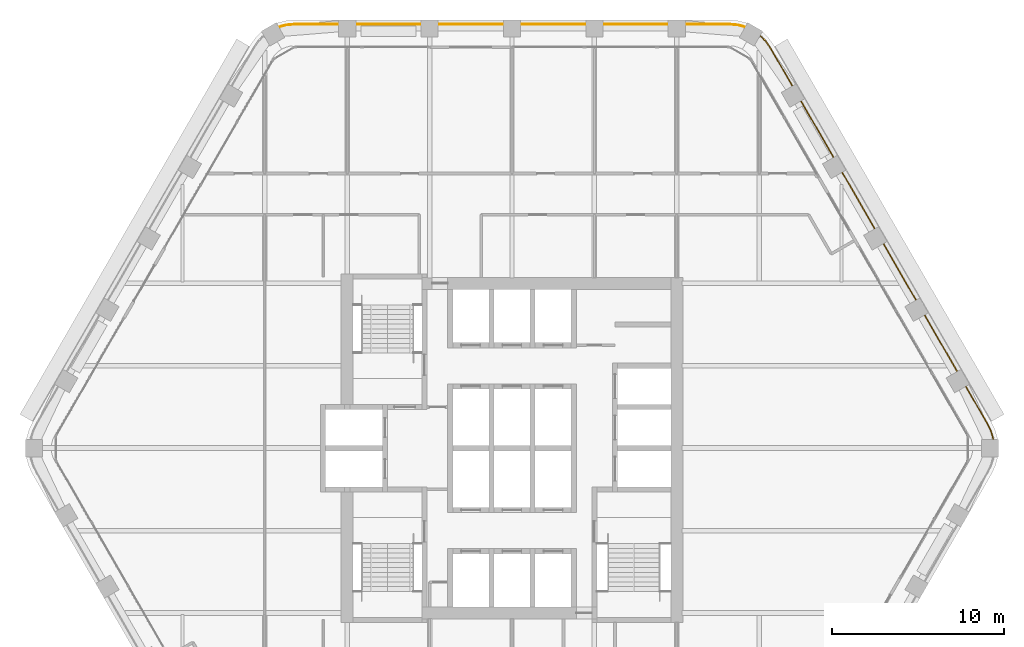
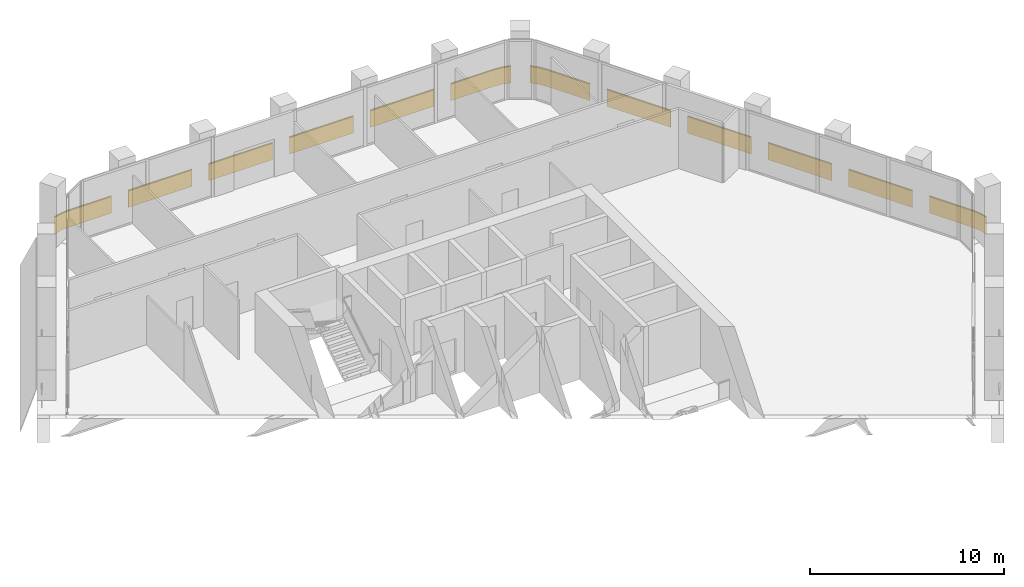
# One storey, part 15 of 15: 2 railings.
"""IFC4 building model written with IfcOpenShell, lengths in metres."""

import ifcopenshell
import ifcopenshell.guid

model = None  # the IFC model being written
_history = None  # IfcOwnerHistory: only IFC2X3 demands one
_inside = {}  # id of a spatial element -> (the spatial element, [elements in it])
_under = {}  # id of a project, library or spatial element -> (it, [spatial elements below it])
_declared = {}  # id of a project -> (the project, [libraries it declares])
_typed = {}  # id of a type object -> (the type object, [elements of that type])
_made_of = {}  # id of a material, layer set ... -> (it, [elements and type objects made of it])


def new_model(schema):
    """Start an empty IFC model of exactly this schema.

    Asked for "IFC4X3", IfcOpenShell would pick the latest addendum, in which some entities
    have other attributes; the version numbers below select the first issue.
    IFC2X3 requires an IfcOwnerHistory on every rooted entity: one is made here for all.
    """
    global model, _history
    if schema == "IFC4X3":
        model = ifcopenshell.file(schema_version=(4, 3, 0, 0))
    else:
        model = ifcopenshell.file(schema=schema)
    _inside.clear()
    _under.clear()
    _declared.clear()
    _typed.clear()
    _made_of.clear()
    _history = None
    if model.schema == "IFC2X3":
        org = make("IfcOrganization", Name="unknown")
        user = make(
            "IfcPersonAndOrganization",
            ThePerson=make("IfcPerson", FamilyName="unknown"),
            TheOrganization=org,
        )
        app = make(
            "IfcApplication",
            ApplicationDeveloper=org,
            Version="unknown",
            ApplicationFullName="unknown",
            ApplicationIdentifier="unknown",
        )
        _history = make(
            "IfcOwnerHistory",
            OwningUser=user,
            OwningApplication=app,
            ChangeAction="ADDED",
            CreationDate=0,
        )
    return model


def make(cls, **values):
    """One entity of the class cls with the attributes given. An attribute that is None is left unset."""
    return model.create_entity(
        cls, **{name: value for name, value in values.items() if value is not None}
    )


def rooted(cls, **values):
    """An entity with a GlobalId (a new one), such as an element, a storey or a relation."""
    return make(cls, GlobalId=ifcopenshell.guid.new(), OwnerHistory=_history, **values)


def si_unit(unit_type, name, prefix=None):
    """IfcSIUnit, for example si_unit("LENGTHUNIT", "METRE", prefix="MILLI")."""
    return make("IfcSIUnit", UnitType=unit_type, Prefix=prefix, Name=name)


def assignment(units):
    """IfcUnitAssignment: the units of a project."""
    return None if units is None else make("IfcUnitAssignment", Units=units)


def point(xyz):
    """IfcCartesianPoint."""
    return None if xyz is None else make("IfcCartesianPoint", Coordinates=xyz)


def direction(xyz):
    """IfcDirection."""
    return None if xyz is None else make("IfcDirection", DirectionRatios=xyz)


def frame(location, z_axis=None, x_axis=None):
    """IfcAxis2Placement3D, a coordinate frame: its origin and axes. An axis left out is left unset."""
    return make(
        "IfcAxis2Placement3D",
        Location=point(location),
        Axis=direction(z_axis),
        RefDirection=direction(x_axis),
    )


def frame_2d(location, x_axis=None):
    """IfcAxis2Placement2D, a coordinate frame in the plane: its origin and x axis."""
    return make(
        "IfcAxis2Placement2D", Location=point(location), RefDirection=direction(x_axis)
    )


def origin():
    """The frame at (0, 0, 0) with its axes left unset."""
    return frame((0.0, 0.0, 0.0))


def origin_2d():
    """The frame at (0, 0) in the plane with its x axis left unset."""
    return frame_2d((0.0, 0.0))


def place(relative_to, where):
    """IfcLocalPlacement: puts the frame where relative to a parent placement (None: the world)."""
    return make(
        "IfcLocalPlacement", PlacementRelTo=relative_to, RelativePlacement=where
    )


def context(
    kind, dimensions, precision=None, world=None, true_north=None, identifier=None
):
    """IfcGeometricRepresentationContext, for example the 3D "Model" context."""
    return make(
        "IfcGeometricRepresentationContext",
        ContextIdentifier=identifier,
        ContextType=kind,
        CoordinateSpaceDimension=dimensions,
        Precision=precision,
        WorldCoordinateSystem=world,
        TrueNorth=true_north,
    )


def subcontext(parent, identifier, kind, view, scale=None):
    """IfcGeometricRepresentationSubContext, for example "Body" below "Model"."""
    return make(
        "IfcGeometricRepresentationSubContext",
        ContextIdentifier=identifier,
        ContextType=kind,
        ParentContext=parent,
        TargetScale=scale,
        TargetView=view,
    )


def project(units=None, contexts=None):
    """IfcProject with its units and contexts."""
    return rooted(
        "IfcProject",
        Name="project",
        RepresentationContexts=contexts,
        UnitsInContext=assignment(units),
    )


def spatial(cls, under=None, at=None, **own):
    """A site, building, storey or space (cls), placed at a placement, below another one or the project."""
    s = rooted(cls, ObjectPlacement=at, **own)
    if under is not None:
        _under.setdefault(under.id(), (under, []))[1].append(s)
    return s


def profile(cls, at=None, kind="AREA", **sizes):
    """A parametric profile (cls). Its sizes go by their IFC names, for example OverallWidth=200.0."""
    return make(cls, ProfileType=kind, Position=at, **sizes)


def rectangle(**sizes):
    """IfcRectangleProfileDef."""
    return profile("IfcRectangleProfileDef", **sizes)


def extrude(swept, where, along, depth):
    """IfcExtrudedAreaSolid: the profile swept, set in the frame where, extruded along a direction by depth."""
    return make(
        "IfcExtrudedAreaSolid",
        SweptArea=swept,
        Position=where,
        ExtrudedDirection=direction(along),
        Depth=depth,
    )


def shape(context_of_items, identifier, shape_type, items):
    """IfcShapeRepresentation: the items that make up one representation, for example the "Body"."""
    return make(
        "IfcShapeRepresentation",
        ContextOfItems=context_of_items,
        RepresentationIdentifier=identifier,
        RepresentationType=shape_type,
        Items=items,
    )


def material(Name=None, Category=None):
    """IfcMaterial."""
    return make("IfcMaterial", Name=Name, Category=Category)


def made_of(thing, what):
    """Note that an element or type object is made of a material, layer set ...; save() writes the relation."""
    if what is not None:
        _made_of.setdefault(what.id(), (what, []))[1].append(thing)
    return thing


def type_object(cls, material=None, **own):
    """A type object (cls), such as IfcWallType, which elements share."""
    return made_of(rooted(cls, **own), material)


def element(
    cls,
    number,
    at=None,
    inside=None,
    cuts=None,
    type_object=None,
    material=None,
    context=None,
    identifier="Body",
    shape_type=None,
    held_by="IfcProductDefinitionShape",
    body=None,
    shapes=None,
    **own,
):
    """One element of the class cls, such as IfcWall. Its Tag is "e" and its number.

    at: its placement. inside: the storey or other place that contains it. cuts: it is an
    opening in that element (IfcRelVoidsElement). A single representation is given by context,
    identifier, shape_type and body (its items); several are given by shapes. held_by: the class
    of the entity that holds the representations. save() writes the other relations.
    """
    e = rooted(cls, Tag="e%d" % number, ObjectPlacement=at, **own)
    if body is not None:
        shapes = [shape(context, identifier, shape_type, body)]
    if shapes is not None:
        e.Representation = make(held_by, Representations=shapes)
    if inside is not None:
        _inside.setdefault(inside.id(), (inside, []))[1].append(e)
    if cuts is not None:
        rooted(
            "IfcRelVoidsElement", RelatingBuildingElement=cuts, RelatedOpeningElement=e
        )
    if type_object is not None:
        _typed.setdefault(type_object.id(), (type_object, []))[1].append(e)
    return made_of(e, material)


def aggregate(whole, parts):
    """IfcRelAggregates: a whole, such as a stair, and the parts it consists of."""
    return rooted("IfcRelAggregates", RelatingObject=whole, RelatedObjects=parts)


def save(model, path):
    """Write the relations noted so far, then the file.

    IfcRelAggregates (storeys below a building ...), IfcRelContainedInSpatialStructure (elements
    in a storey), IfcRelDefinesByType, IfcRelAssociatesMaterial and IfcRelDeclares: one each for
    every whole, place, type object, material and project.
    """
    for whole, parts in _under.values():
        aggregate(whole, parts)
    for where, things in _inside.values():
        rooted(
            "IfcRelContainedInSpatialStructure",
            RelatedElements=things,
            RelatingStructure=where,
        )
    for kind, things in _typed.values():
        rooted("IfcRelDefinesByType", RelatedObjects=things, RelatingType=kind)
    for what, things in _made_of.values():
        rooted("IfcRelAssociatesMaterial", RelatedObjects=things, RelatingMaterial=what)
    for by, libraries in _declared.values():
        rooted("IfcRelDeclares", RelatingContext=by, RelatedDefinitions=libraries)
    model.write(path)


model = new_model("IFC4")

# Units and contexts
model_context = context("Model", 3, precision=1e-05, world=origin(), true_north=direction((0.0, 1.0)))
body_context = subcontext(model_context, "Body", "Model", "MODEL_VIEW")
ifc_project = project(units=[si_unit("LENGTHUNIT", "METRE"), si_unit("AREAUNIT", "SQUARE_METRE"), si_unit("VOLUMEUNIT", "CUBIC_METRE"), si_unit("PLANEANGLEUNIT", "RADIAN"), si_unit("MASSUNIT", "GRAM", prefix="KILO")], contexts=[model_context])

# Site, building, storey
site_placement = place(None, origin())
site = spatial("IfcSite", under=ifc_project, at=site_placement, CompositionType="ELEMENT")
building_placement = place(site_placement, origin())
building = spatial("IfcBuilding", under=site, at=building_placement, Name="Kolab Exchange Tower", CompositionType="ELEMENT")
storey_placement = place(building_placement, frame((0.0, 0.0, 205.10009765625)))
storey = spatial("IfcBuildingStorey", under=building, at=storey_placement, Name="L44", CompositionType="ELEMENT", Elevation=205.10009765625)

# Railings
ifc_material = material(Name="Steel S235", Category="steel")
railing_type = type_object("IfcRailingType", Name="GUARD 1100 GLASS BALUSTRADE AND STEEL TOP RAIL", PredefinedType="GUARDRAIL", material=ifc_material)
railing_1_placement = place(storey_placement, frame((13.588623046875, 24.531005859375, 0.0)))
element("IfcRailing", 1, at=railing_1_placement, inside=storey, type_object=railing_type, Name="Guard", PredefinedType="GUARDRAIL", context=body_context, shape_type="SweptSolid", body=[
    extrude(rectangle(XDim=0.05, YDim=0.05, at=origin_2d()), frame((0.0, 0.0, 1.0751953125), z_axis=(-0.965969425465, 0.25865627591, 0.0), x_axis=(-0.25865627591, -0.965969425465, 0.0)), (0.0, 0.0, 1.0), 0.458740234375),
    extrude(rectangle(XDim=0.012, YDim=1.05009765625, at=frame_2d((0.0, 0.525146484375))), frame((0.0, 0.0, 0.0), z_axis=(-0.965969425465, 0.25865627591, 0.0), x_axis=(-0.25865627591, -0.965969425465, 0.0)), (0.0, 0.0, 1.0), 0.458740234375),
    extrude(rectangle(XDim=0.05, YDim=0.05, at=origin_2d()), frame((-0.443115234375, 0.11865234375, 1.0751953125), z_axis=(-0.996156034798, 0.087596542937, 0.0), x_axis=(-0.087596542937, -0.996156034798, 0.0)), (0.0, 0.0, 1.0), 0.4794921875),
    extrude(rectangle(XDim=0.012, YDim=1.05009765625, at=frame_2d((0.0, 0.525146484375))), frame((-0.443115234375, 0.11865234375, 0.0), z_axis=(-0.996156034798, 0.087596542937, 0.0), x_axis=(-0.087596542937, -0.996156034798, 0.0)), (0.0, 0.0, 1.0), 0.4794921875),
    extrude(rectangle(XDim=0.05, YDim=0.05, at=origin_2d()), frame((-0.920654296875, 0.16064453125, 1.0751953125), z_axis=(-1.0, 0.0, 0.0), x_axis=(0.0, -1.0, 0.0)), (0.0, 0.0, 1.0), 2.56787109375),
    extrude(rectangle(XDim=0.012, YDim=1.05009765625, at=frame_2d((0.0, 0.525146484375))), frame((-0.920654296875, 0.16064453125, 0.0), z_axis=(-1.0, 0.0, 0.0), x_axis=(0.0, -1.0, 0.0)), (0.0, 0.0, 1.0), 2.56787109375),
    extrude(rectangle(XDim=0.05, YDim=0.05, at=origin_2d()), frame((-4.488525390625, 0.16064453125, 1.0751953125), z_axis=(-1.0, 0.0, 0.0), x_axis=(0.0, -1.0, 0.0)), (0.0, 0.0, 1.0), 3.800048828125),
    extrude(rectangle(XDim=0.012, YDim=1.05009765625, at=frame_2d((0.0, 0.525146484375))), frame((-4.488525390625, 0.16064453125, 0.0), z_axis=(-1.0, 0.0, 0.0), x_axis=(0.0, -1.0, 0.0)), (0.0, 0.0, 1.0), 3.800048828125),
    extrude(rectangle(XDim=0.05, YDim=0.05, at=origin_2d()), frame((-9.28857421875, 0.16064453125, 1.0751953125), z_axis=(-1.0, 0.0, 0.0), x_axis=(0.0, -1.0, 0.0)), (0.0, 0.0, 1.0), 3.800048828125),
    extrude(rectangle(XDim=0.012, YDim=1.05009765625, at=frame_2d((0.0, 0.525146484375))), frame((-9.28857421875, 0.16064453125, 0.0), z_axis=(-1.0, 0.0, 0.0), x_axis=(0.0, -1.0, 0.0)), (0.0, 0.0, 1.0), 3.800048828125),
    extrude(rectangle(XDim=0.05, YDim=0.05, at=origin_2d()), frame((-14.088623046875, 0.16064453125, 1.0751953125), z_axis=(-1.0, 0.0, 0.0), x_axis=(0.0, -1.0, 0.0)), (0.0, 0.0, 1.0), 3.800048828125),
    extrude(rectangle(XDim=0.012, YDim=1.05009765625, at=frame_2d((0.0, 0.525146484375))), frame((-14.088623046875, 0.16064453125, 0.0), z_axis=(-1.0, 0.0, 0.0), x_axis=(0.0, -1.0, 0.0)), (0.0, 0.0, 1.0), 3.800048828125),
    extrude(rectangle(XDim=0.05, YDim=0.05, at=origin_2d()), frame((-18.888671875, 0.16064453125, 1.0751953125), z_axis=(-1.0, 0.0, 0.0), x_axis=(0.0, -1.0, 0.0)), (0.0, 0.0, 1.0), 3.800048828125),
    extrude(rectangle(XDim=0.012, YDim=1.05009765625, at=frame_2d((0.0, 0.525146484375))), frame((-18.888671875, 0.16064453125, 0.0), z_axis=(-1.0, 0.0, 0.0), x_axis=(0.0, -1.0, 0.0)), (0.0, 0.0, 1.0), 3.800048828125),
    extrude(rectangle(XDim=0.05, YDim=0.05, at=origin_2d()), frame((-23.688720703125, 0.16064453125, 1.0751953125), z_axis=(-1.0, 0.0, 0.0), x_axis=(0.0, -1.0, 0.0)), (0.0, 0.0, 1.0), 2.56787109375),
    extrude(rectangle(XDim=0.012, YDim=1.05009765625, at=frame_2d((0.0, 0.525146484375))), frame((-23.688720703125, 0.16064453125, 0.0), z_axis=(-1.0, 0.0, 0.0), x_axis=(0.0, -1.0, 0.0)), (0.0, 0.0, 1.0), 2.56787109375),
    extrude(rectangle(XDim=0.05, YDim=0.05, at=origin_2d()), frame((-26.256591796875, 0.16064453125, 1.0751953125), z_axis=(-0.996156034798, -0.087596542937, 0.0), x_axis=(0.087596542937, -0.996156034798, 0.0)), (0.0, 0.0, 1.0), 0.4794921875),
    extrude(rectangle(XDim=0.012, YDim=1.05009765625, at=frame_2d((0.0, 0.525146484375))), frame((-26.256591796875, 0.16064453125, 0.0), z_axis=(-0.996156034798, -0.087596542937, 0.0), x_axis=(0.087596542937, -0.996156034798, 0.0)), (0.0, 0.0, 1.0), 0.4794921875),
    extrude(rectangle(XDim=0.05, YDim=0.05, at=origin_2d()), frame((-26.734130859375, 0.11865234375, 1.0751953125), z_axis=(-0.965969425465, -0.25865627591, 0.0), x_axis=(0.25865627591, -0.965969425465, 0.0)), (0.0, 0.0, 1.0), 0.458740234375),
    extrude(rectangle(XDim=0.012, YDim=1.05009765625, at=frame_2d((0.0, 0.525146484375))), frame((-26.734130859375, 0.11865234375, 0.0), z_axis=(-0.965969425465, -0.25865627591, 0.0), x_axis=(0.25865627591, -0.965969425465, 0.0)), (0.0, 0.0, 1.0), 0.458740234375),
])
railing_2_placement = place(storey_placement, frame((28.038818359375, 0.49755859375, 0.0)))
element("IfcRailing", 2, at=railing_2_placement, inside=storey, type_object=railing_type, Name="Guard", PredefinedType="GUARDRAIL", context=body_context, shape_type="SweptSolid", body=[
    extrude(rectangle(XDim=0.05, YDim=0.05, at=origin_2d()), frame((0.0, 0.0, 1.0751953125), z_axis=(-0.25865627591, 0.965969425465, 0.0), x_axis=(-0.965969425465, -0.25865627591, 0.0)), (0.0, 0.0, 1.0), 0.458740234375),
    extrude(rectangle(XDim=0.012, YDim=1.05009765625, at=frame_2d((0.0, 0.525146484375))), frame((0.0, 0.0, 0.0), z_axis=(-0.25865627591, 0.965969425465, 0.0), x_axis=(-0.965969425465, -0.25865627591, 0.0)), (0.0, 0.0, 1.0), 0.458740234375),
    extrude(rectangle(XDim=0.05, YDim=0.05, at=origin_2d()), frame((-0.11865234375, 0.443115234375, 1.0751953125), z_axis=(-0.422801802984, 0.906222177721, 0.0), x_axis=(-0.906222177721, -0.422801802984, 0.0)), (0.0, 0.0, 1.0), 0.479248046875),
    extrude(rectangle(XDim=0.012, YDim=1.05009765625, at=frame_2d((0.0, 0.525146484375))), frame((-0.11865234375, 0.443115234375, 0.0), z_axis=(-0.422801802984, 0.906222177721, 0.0), x_axis=(-0.906222177721, -0.422801802984, 0.0)), (0.0, 0.0, 1.0), 0.479248046875),
    extrude(rectangle(XDim=0.05, YDim=0.05, at=origin_2d()), frame((-0.3212890625, 0.87744140625, 1.0751953125), z_axis=(-0.499994038704, 0.866028845513, 0.0), x_axis=(-0.866028845513, -0.499994038704, 0.0)), (0.0, 0.0, 1.0), 2.56787109375),
    extrude(rectangle(XDim=0.012, YDim=1.05009765625, at=frame_2d((0.0, 0.525146484375))), frame((-0.3212890625, 0.87744140625, 0.0), z_axis=(-0.499994038704, 0.866028845513, 0.0), x_axis=(-0.866028845513, -0.499994038704, 0.0)), (0.0, 0.0, 1.0), 2.56787109375),
    extrude(rectangle(XDim=0.05, YDim=0.05, at=origin_2d()), frame((-2.105224609375, 3.96728515625, 1.0751953125), z_axis=(-0.500015340139, 0.86601654697, 0.0), x_axis=(-0.86601654697, -0.500015340139, 0.0)), (0.0, 0.0, 1.0), 3.80029296875),
    extrude(rectangle(XDim=0.012, YDim=1.05009765625, at=frame_2d((0.0, 0.525146484375))), frame((-2.105224609375, 3.96728515625, 0.0), z_axis=(-0.500015340139, 0.86601654697, 0.0), x_axis=(-0.86601654697, -0.500015340139, 0.0)), (0.0, 0.0, 1.0), 3.80029296875),
    extrude(rectangle(XDim=0.05, YDim=0.05, at=origin_2d()), frame((-4.50537109375, 8.124267578125, 1.0751953125), z_axis=(-0.499967155389, 0.866044365799, 0.0), x_axis=(-0.866044365799, -0.499967155389, 0.0)), (0.0, 0.0, 1.0), 3.800048828125),
    extrude(rectangle(XDim=0.012, YDim=1.05009765625, at=frame_2d((0.0, 0.525146484375))), frame((-4.50537109375, 8.124267578125, 0.0), z_axis=(-0.499967155389, 0.866044365799, 0.0), x_axis=(-0.866044365799, -0.499967155389, 0.0)), (0.0, 0.0, 1.0), 3.800048828125),
    extrude(rectangle(XDim=0.05, YDim=0.05, at=origin_2d()), frame((-6.9052734375, 12.28125, 1.0751953125), z_axis=(-0.500043160704, 0.866000483506, 0.0), x_axis=(-0.866000483506, -0.500043160704, 0.0)), (0.0, 0.0, 1.0), 3.800048828125),
    extrude(rectangle(XDim=0.012, YDim=1.05009765625, at=frame_2d((0.0, 0.525146484375))), frame((-6.9052734375, 12.28125, 0.0), z_axis=(-0.500043160704, 0.866000483506, 0.0), x_axis=(-0.866000483506, -0.500043160704, 0.0)), (0.0, 0.0, 1.0), 3.800048828125),
    extrude(rectangle(XDim=0.05, YDim=0.05, at=origin_2d()), frame((-9.305419921875, 16.438232421875, 1.0751953125), z_axis=(-0.499994975061, 0.866028304915, 0.0), x_axis=(-0.866028304915, -0.499994975061, 0.0)), (0.0, 0.0, 1.0), 3.7998046875),
    extrude(rectangle(XDim=0.012, YDim=1.05009765625, at=frame_2d((0.0, 0.525146484375))), frame((-9.305419921875, 16.438232421875, 0.0), z_axis=(-0.499994975061, 0.866028304915, 0.0), x_axis=(-0.866028304915, -0.499994975061, 0.0)), (0.0, 0.0, 1.0), 3.7998046875),
    extrude(rectangle(XDim=0.05, YDim=0.05, at=origin_2d()), frame((-11.705322265625, 20.594970703125, 1.0751953125), z_axis=(-0.499952873616, 0.866052610505, 0.0), x_axis=(-0.866052610505, -0.499952873616, 0.0)), (0.0, 0.0, 1.0), 2.568115234375),
    extrude(rectangle(XDim=0.012, YDim=1.05009765625, at=frame_2d((0.0, 0.525146484375))), frame((-11.705322265625, 20.594970703125, 0.0), z_axis=(-0.499952873616, 0.866052610505, 0.0), x_axis=(-0.866052610505, -0.499952873616, 0.0)), (0.0, 0.0, 1.0), 2.568115234375),
    extrude(rectangle(XDim=0.05, YDim=0.05, at=origin_2d()), frame((-12.9892578125, 22.819091796875, 1.0751953125), z_axis=(-0.573599091554, 0.819136180478, 0.0), x_axis=(-0.819136180478, -0.573599091554, 0.0)), (0.0, 0.0, 1.0), 0.479248046875),
    extrude(rectangle(XDim=0.012, YDim=1.05009765625, at=frame_2d((0.0, 0.525146484375))), frame((-12.9892578125, 22.819091796875, 0.0), z_axis=(-0.573599091554, 0.819136180478, 0.0), x_axis=(-0.819136180478, -0.573599091554, 0.0)), (0.0, 0.0, 1.0), 0.479248046875),
    extrude(rectangle(XDim=0.05, YDim=0.05, at=origin_2d()), frame((-13.26416015625, 23.211669921875, 1.0751953125), z_axis=(-0.70737286085, 0.706840601361, 0.0), x_axis=(-0.706840601361, -0.70737286085, 0.0)), (0.0, 0.0, 1.0), 0.458740234375),
    extrude(rectangle(XDim=0.012, YDim=1.05009765625, at=frame_2d((0.0, 0.525146484375))), frame((-13.26416015625, 23.211669921875, 0.0), z_axis=(-0.70737286085, 0.706840601361, 0.0), x_axis=(-0.706840601361, -0.70737286085, 0.0)), (0.0, 0.0, 1.0), 0.458740234375),
])

save(model, "model.ifc")
